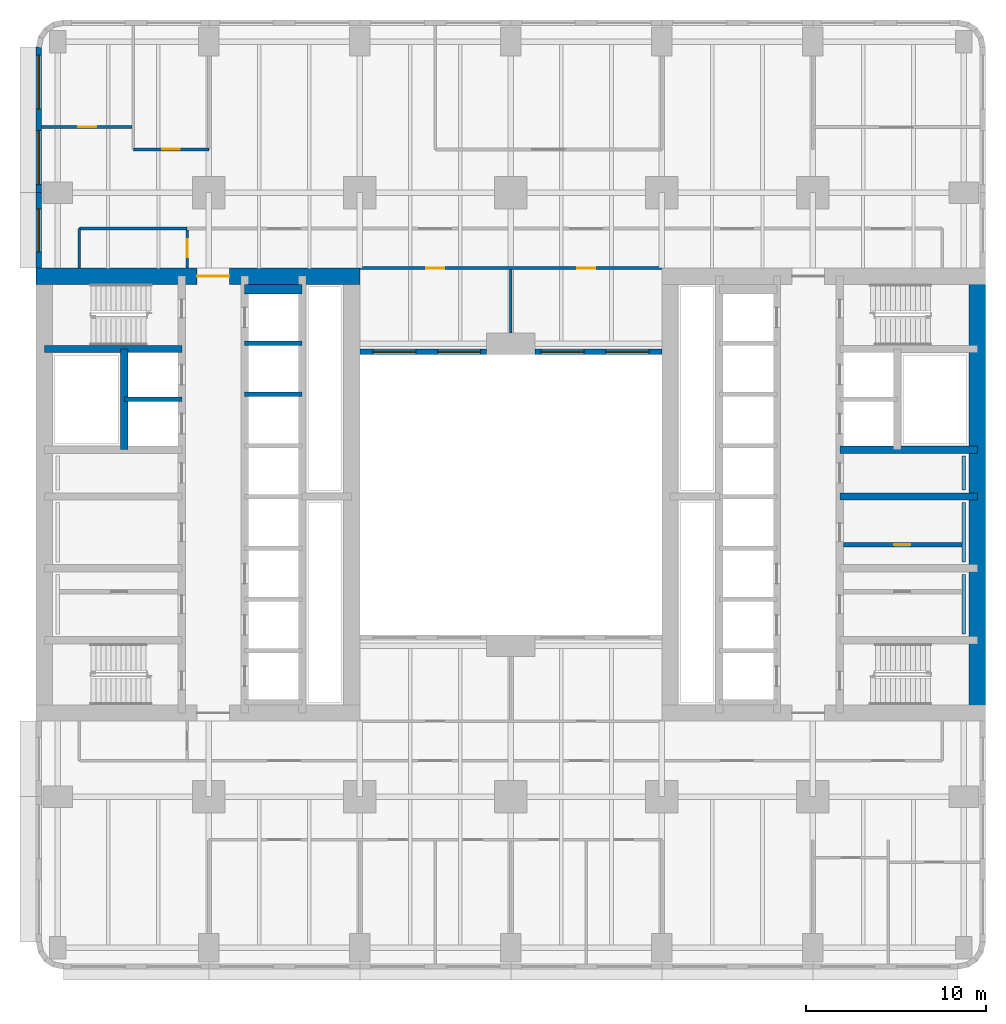
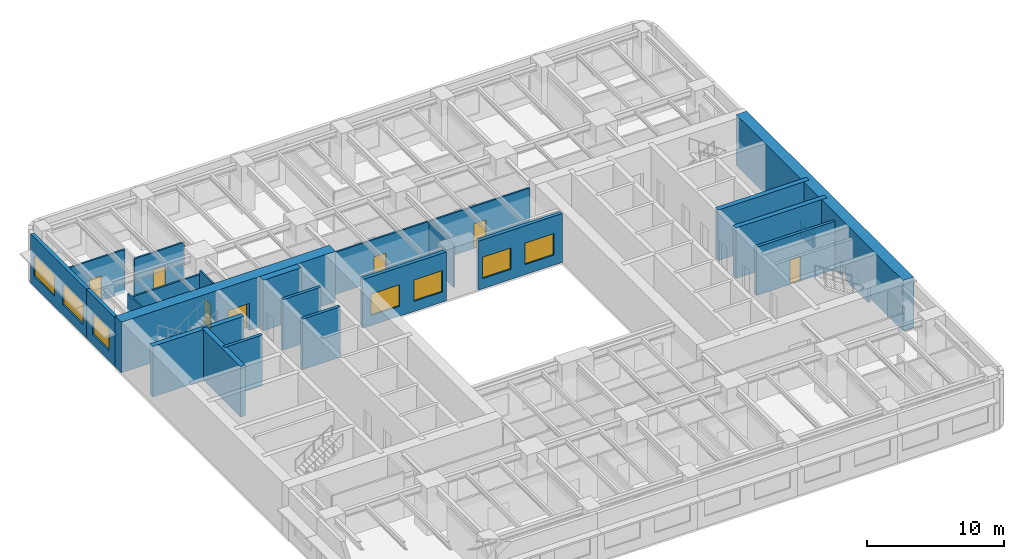
# One storey, part 6 of 14: 25 walls, 7 doors, 7 windows, 14 openings.
"""IFC4 building model written with IfcOpenShell, lengths in metres."""

from ifc_helpers import new_model, si_unit, direction, frame, frame_2d, origin, place, context, subcontext, project, spatial, rectangle, extrude, material, layer, layer_set, type_object, element, fill, save


model = new_model("IFC4")

# Units and contexts
model_context = context("Model", 3, precision=1e-05, world=origin(), true_north=direction((0.0, 1.0)))
body_context = subcontext(model_context, "Body", "Model", "MODEL_VIEW")
ifc_project = project(units=[si_unit("LENGTHUNIT", "METRE"), si_unit("AREAUNIT", "SQUARE_METRE"), si_unit("VOLUMEUNIT", "CUBIC_METRE"), si_unit("PLANEANGLEUNIT", "RADIAN"), si_unit("MASSUNIT", "GRAM", prefix="KILO")], contexts=[model_context])

# Site, building, storey
site_placement = place(None, origin())
site = spatial("IfcSite", under=ifc_project, at=site_placement, CompositionType="ELEMENT")
building_placement = place(site_placement, origin())
building = spatial("IfcBuilding", under=site, at=building_placement, Name="Claustro Exchange Tower", CompositionType="ELEMENT")
storey_placement = place(building_placement, frame((0.0, 0.0, 54.89990234375)))
storey = spatial("IfcBuildingStorey", under=building, at=storey_placement, Name="L12", CompositionType="ELEMENT", Elevation=54.89990234375)

# Wall, opening, door
ifc_material_1 = material(Name="Gypsum board on steel studs", Category="steel")
ifc_layer_1 = layer(ifc_material_1, 0.14990234375)
ifc_layer_set_1 = layer_set([ifc_layer_1], Name="Gypsum board on steel studs")
wall_type_1 = type_object("IfcWallType", Name="P1 150 plasterboard partition", PredefinedType="PARTITIONING", material=ifc_layer_set_1)
wall_1_placement = place(storey_placement, frame((-0.902099609375, 45.64990234375, 0.0), z_axis=(0.0, 0.0, 1.0), x_axis=(1.0, 0.0, 0.0)))
wall_1 = element("IfcWall", 1, at=wall_1_placement, inside=storey, type_object=wall_type_1, Name="Partition P1 L12", PredefinedType="PARTITIONING", context=body_context, shape_type="SweptSolid", body=[
    extrude(rectangle(XDim=5.028076171875, YDim=0.14990234375, at=frame_2d((2.51416015625, 0.0))), origin(), (0.0, 0.0, 1.0), 3.840087890625),
])
opening_1_placement = place(wall_1_placement, frame((2.052001953125, 0.0, 0.0)))
opening_1 = element("IfcOpeningElement", 2, at=opening_1_placement, cuts=wall_1, Name="Opening D1", PredefinedType="OPENING", context=body_context, shape_type="SweptSolid", body=[
    extrude(rectangle(XDim=1.0, YDim=2.199951171875, at=frame_2d((0.5, 1.10009765625))), frame((0.0, 0.0849609375, 0.0), z_axis=(0.0, -1.0, 0.0), x_axis=(1.0, 0.0, 0.0)), (0.0, 0.0, 1.0), 0.169921875),
])
ifc_material_2 = material(Name="Timber door, oak veneer", Category="wood")
door_type_1 = type_object("IfcDoorType", Name="D1 1000 x 2200 single door", OperationType="SINGLE_SWING_LEFT", PredefinedType="DOOR", material=ifc_material_2)
door_1_placement = place(opening_1_placement, origin())
door_1 = element("IfcDoor", 3, at=door_1_placement, inside=storey, type_object=door_type_1, Name="Door D1 L12", OperationType="SINGLE_SWING_RIGHT", OverallHeight=2.199951171875, OverallWidth=1.0, PredefinedType="DOOR", context=body_context, shape_type="SweptSolid", body=[
    extrude(rectangle(XDim=1.0, YDim=2.199951171875, at=frame_2d((0.5, 1.10009765625))), frame((0.0, 0.02490234375, 0.0), z_axis=(0.0, -1.0, 0.0), x_axis=(1.0, 0.0, 0.0)), (0.0, 0.0, 1.0), 0.050048828125),
])
fill(opening_1, door_1)

wall_2_placement = place(storey_placement, frame((4.199951171875, 44.39990234375, 0.0), z_axis=(0.0, 0.0, 1.0), x_axis=(1.0, 0.0, 0.0)))
wall_2 = element("IfcWall", 4, at=wall_2_placement, inside=storey, type_object=wall_type_1, Name="Partition P1 L12", PredefinedType="PARTITIONING", context=body_context, shape_type="SweptSolid", body=[
    extrude(rectangle(XDim=4.199951171875, YDim=0.14990234375, at=frame_2d((2.10009765625, 0.0))), origin(), (0.0, 0.0, 1.0), 3.739990234375),
])
opening_2_placement = place(wall_2_placement, frame((1.60009765625, 0.0, 0.0)))
opening_2 = element("IfcOpeningElement", 5, at=opening_2_placement, cuts=wall_2, Name="Opening D1", PredefinedType="OPENING", context=body_context, shape_type="SweptSolid", body=[
    extrude(rectangle(XDim=1.0, YDim=2.199951171875, at=frame_2d((0.5, 1.10009765625))), frame((0.0, 0.0849609375, 0.0), z_axis=(0.0, -1.0, 0.0), x_axis=(1.0, 0.0, 0.0)), (0.0, 0.0, 1.0), 0.169921875),
])
door_2_placement = place(opening_2_placement, origin())
door_2 = element("IfcDoor", 6, at=door_2_placement, inside=storey, type_object=door_type_1, Name="Door D1 L12", OperationType="SINGLE_SWING_LEFT", OverallHeight=2.199951171875, OverallWidth=1.0, PredefinedType="DOOR", context=body_context, shape_type="SweptSolid", body=[
    extrude(rectangle(XDim=1.0, YDim=2.199951171875, at=frame_2d((0.5, 1.10009765625))), frame((0.0, 0.02490234375, 0.0), z_axis=(0.0, -1.0, 0.0), x_axis=(1.0, 0.0, 0.0)), (0.0, 0.0, 1.0), 0.050048828125),
])
fill(opening_2, door_2)

wall_3_placement = place(storey_placement, frame((7.199951171875, 37.800048828125, 0.0), z_axis=(0.0, 0.0, 1.0), x_axis=(0.0, 1.0, 0.0)))
wall_3 = element("IfcWall", 7, at=wall_3_placement, inside=storey, type_object=wall_type_1, Name="Partition P1 L12", PredefinedType="PARTITIONING", context=body_context, shape_type="SweptSolid", body=[
    extrude(rectangle(XDim=2.1259765625, YDim=0.14990234375, at=frame_2d((1.06298828125, 0.0))), origin(), (0.0, 0.0, 1.0), 4.340087890625),
])
opening_3_placement = place(wall_3_placement, frame((0.60009765625, 0.0, 0.0)))
opening_3 = element("IfcOpeningElement", 8, at=opening_3_placement, cuts=wall_3, Name="Opening D1", PredefinedType="OPENING", context=body_context, shape_type="SweptSolid", body=[
    extrude(rectangle(XDim=1.0, YDim=2.199951171875, at=frame_2d((0.5, 1.10009765625))), frame((0.0, 0.0849609375, 0.0), z_axis=(0.0, -1.0, 0.0), x_axis=(1.0, 0.0, 0.0)), (0.0, 0.0, 1.0), 0.169921875),
])
door_3_placement = place(opening_3_placement, origin())
door_3 = element("IfcDoor", 9, at=door_3_placement, inside=storey, type_object=door_type_1, Name="Door D1 L12", OperationType="SINGLE_SWING_LEFT", OverallHeight=2.199951171875, OverallWidth=1.0, PredefinedType="DOOR", context=body_context, shape_type="SweptSolid", body=[
    extrude(rectangle(XDim=1.0, YDim=2.199951171875, at=frame_2d((0.5, 1.10009765625))), frame((0.0, 0.02490234375, 0.0), z_axis=(0.0, -1.0, 0.0), x_axis=(1.0, 0.0, 0.0)), (0.0, 0.0, 1.0), 0.050048828125),
])
fill(opening_3, door_3)

# Walls
wall_4_placement = place(storey_placement, frame((1.199951171875, 40.0, 0.0), z_axis=(0.0, 0.0, 1.0), x_axis=(1.0, 0.0, 0.0)))
element("IfcWall", 10, at=wall_4_placement, inside=storey, type_object=wall_type_1, Name="Partition P1 L12", PredefinedType="PARTITIONING", context=body_context, shape_type="SweptSolid", body=[
    extrude(rectangle(XDim=6.001953125, YDim=0.14990234375, at=frame_2d((3.0009765625, 0.0))), origin(), (0.0, 0.0, 1.0), 3.97998046875),
])
wall_5_placement = place(storey_placement, frame((1.199951171875, 37.800048828125, 0.0), z_axis=(0.0, 0.0, 1.0), x_axis=(0.0, 1.0, 0.0)))
element("IfcWall", 11, at=wall_5_placement, inside=storey, type_object=wall_type_1, Name="Partition P1 L12", PredefinedType="PARTITIONING", context=body_context, shape_type="SweptSolid", body=[
    extrude(rectangle(XDim=2.199951171875, YDim=0.14990234375, at=frame_2d((1.10009765625, 0.0))), origin(), (0.0, 0.0, 1.0), 4.340087890625),
])
wall_6_placement = place(storey_placement, frame((25.199951171875, 34.198974609375, 0.0), z_axis=(0.0, 0.0, 1.0), x_axis=(0.0, 1.0, 0.0)))
element("IfcWall", 12, at=wall_6_placement, inside=storey, type_object=wall_type_1, Name="Partition P1 L12", PredefinedType="PARTITIONING", context=body_context, shape_type="SweptSolid", body=[
    extrude(rectangle(XDim=3.527099609375, YDim=0.14990234375, at=frame_2d((1.763671875, 0.0))), origin(), (0.0, 0.0, 1.0), 3.739990234375),
])

# Wall, openings, doors
wall_7_placement = place(storey_placement, frame((16.798095703125, 37.800048828125, 0.0), z_axis=(0.0, 0.0, 1.0), x_axis=(1.0, 0.0, 0.0)))
wall_7 = element("IfcWall", 13, at=wall_7_placement, inside=storey, type_object=wall_type_1, Name="Partition P1 L12", PredefinedType="PARTITIONING", context=body_context, shape_type="SweptSolid", body=[
    extrude(rectangle(XDim=16.803955078125, YDim=0.14990234375, at=frame_2d((8.40185546875, 0.0))), origin(), (0.0, 0.0, 1.0), 3.739990234375),
])
opening_4_placement = place(wall_7_placement, frame((3.701904296875, 0.0, 0.0)))
opening_4 = element("IfcOpeningElement", 14, at=opening_4_placement, cuts=wall_7, Name="Opening D1", PredefinedType="OPENING", context=body_context, shape_type="SweptSolid", body=[
    extrude(rectangle(XDim=1.0, YDim=2.199951171875, at=frame_2d((0.5, 1.10009765625))), frame((0.0, 0.0849609375, 0.0), z_axis=(0.0, -1.0, 0.0), x_axis=(1.0, 0.0, 0.0)), (0.0, 0.0, 1.0), 0.169921875),
])
opening_5_placement = place(wall_7_placement, frame((12.10205078125, 0.0, 0.0)))
opening_5 = element("IfcOpeningElement", 15, at=opening_5_placement, cuts=wall_7, Name="Opening D1", PredefinedType="OPENING", context=body_context, shape_type="SweptSolid", body=[
    extrude(rectangle(XDim=1.0, YDim=2.199951171875, at=frame_2d((0.5, 1.10009765625))), frame((0.0, 0.0849609375, 0.0), z_axis=(0.0, -1.0, 0.0), x_axis=(1.0, 0.0, 0.0)), (0.0, 0.0, 1.0), 0.169921875),
])
door_4_placement = place(opening_4_placement, frame((1.0, 0.0, 0.0), z_axis=(0.0, 0.0, 1.0), x_axis=(-1.0, 0.0, 0.0)))
door_4 = element("IfcDoor", 16, at=door_4_placement, inside=storey, type_object=door_type_1, Name="Door D1 L12", OperationType="SINGLE_SWING_RIGHT", OverallHeight=2.199951171875, OverallWidth=1.0, PredefinedType="DOOR", context=body_context, shape_type="SweptSolid", body=[
    extrude(rectangle(XDim=1.0, YDim=2.199951171875, at=frame_2d((0.5, 1.10009765625))), frame((0.0, 0.02490234375, 0.0), z_axis=(0.0, -1.0, 0.0), x_axis=(1.0, 0.0, 0.0)), (0.0, 0.0, 1.0), 0.050048828125),
])
fill(opening_4, door_4)
door_5_placement = place(opening_5_placement, frame((1.0, 0.0, 0.0), z_axis=(0.0, 0.0, 1.0), x_axis=(-1.0, 0.0, 0.0)))
door_5 = element("IfcDoor", 17, at=door_5_placement, inside=storey, type_object=door_type_1, Name="Door D1 L12", OperationType="SINGLE_SWING_RIGHT", OverallHeight=2.199951171875, OverallWidth=1.0, PredefinedType="DOOR", context=body_context, shape_type="SweptSolid", body=[
    extrude(rectangle(XDim=1.0, YDim=2.199951171875, at=frame_2d((0.5, 1.10009765625))), frame((0.0, 0.02490234375, 0.0), z_axis=(0.0, -1.0, 0.0), x_axis=(1.0, 0.0, 0.0)), (0.0, 0.0, 1.0), 0.050048828125),
])
fill(opening_5, door_5)

# Wall, opening, door
ifc_material_3 = material(Name="Concrete blockwork, rendered", Category="masonry")
ifc_layer_2 = layer(ifc_material_3, 0.25)
ifc_layer_set_2 = layer_set([ifc_layer_2], Name="Concrete blockwork, rendered")
wall_type_2 = type_object("IfcWallType", Name="P4 250 blockwork wall", PredefinedType="PARTITIONING", material=ifc_layer_set_2)
wall_8_placement = place(storey_placement, frame((43.699951171875, 22.39990234375, 0.0), z_axis=(0.0, 0.0, 1.0), x_axis=(1.0, 0.0, 0.0)))
wall_8 = element("IfcWall", 18, at=wall_8_placement, inside=storey, type_object=wall_type_2, Name="Partition P4 L12", PredefinedType="PARTITIONING", context=body_context, shape_type="SweptSolid", body=[
    extrude(rectangle(XDim=6.60009765625, YDim=0.25, at=frame_2d((3.300048828125, 0.0))), origin(), (0.0, 0.0, 1.0), 4.300048828125),
])
opening_6_placement = place(wall_8_placement, frame((2.824951171875, 0.0, 0.0)))
opening_6 = element("IfcOpeningElement", 19, at=opening_6_placement, cuts=wall_8, Name="Opening D5", PredefinedType="OPENING", context=body_context, shape_type="SweptSolid", body=[
    extrude(rectangle(XDim=0.89990234375, YDim=2.199951171875, at=frame_2d((0.449951171875, 1.10009765625))), frame((0.0, 0.135009765625, 0.0), z_axis=(0.0, -1.0, 0.0), x_axis=(1.0, 0.0, 0.0)), (0.0, 0.0, 1.0), 0.27001953125),
])
ifc_material_4 = material(Name="Steel door, painted", Category="steel")
door_type_2 = type_object("IfcDoorType", Name="D5 900 x 2200 store door", OperationType="SINGLE_SWING_LEFT", PredefinedType="DOOR", material=ifc_material_4)
door_6_placement = place(opening_6_placement, frame((0.89990234375, 0.0, 0.0), z_axis=(0.0, 0.0, 1.0), x_axis=(-1.0, 0.0, 0.0)))
door_6 = element("IfcDoor", 20, at=door_6_placement, inside=storey, type_object=door_type_2, Name="Store door D5 L12", OperationType="SINGLE_SWING_LEFT", OverallHeight=2.199951171875, OverallWidth=0.89990234375, PredefinedType="DOOR", context=body_context, shape_type="SweptSolid", body=[
    extrude(rectangle(XDim=0.89990234375, YDim=2.199951171875, at=frame_2d((0.449951171875, 1.10009765625))), frame((0.0, 0.02490234375, 0.0), z_axis=(0.0, -1.0, 0.0), x_axis=(1.0, 0.0, 0.0)), (0.0, 0.0, 1.0), 0.050048828125),
])
fill(opening_6, door_6)

# Wall, opening, window
ifc_material_5 = material(Name="Concrete HA-40 (C40/50), precast, white cement, acid-etched", Category="concrete")
ifc_layer_3 = layer(ifc_material_5, 0.300048828125)
ifc_layer_set_3 = layer_set([ifc_layer_3], Name="Concrete HA-40 (C40/50), precast, white cement, acid-etched")
wall_type_3 = type_object("IfcWallType", Name="PC1 300 precast concrete pier panel", PredefinedType="SOLIDWALL", material=ifc_layer_set_3)
wall_9_placement = place(storey_placement, frame((-1.050048828125, 37.800048828125, 0.0), z_axis=(0.0, 0.0, 1.0), x_axis=(0.0, 1.0, 0.0)))
wall_9 = element("IfcWall", 21, at=wall_9_placement, inside=storey, type_object=wall_type_3, Name="Precast pier panel PC1 L12", PredefinedType="SOLIDWALL", context=body_context, shape_type="SweptSolid", body=[
    extrude(rectangle(XDim=4.199951171875, YDim=0.300048828125, at=frame_2d((2.10009765625, 0.0))), origin(), (0.0, 0.0, 1.0), 4.340087890625),
])
opening_7_placement = place(wall_9_placement, frame((0.89990234375, 0.0, 0.89990234375)))
opening_7 = element("IfcOpeningElement", 22, at=opening_7_placement, cuts=wall_9, Name="Opening W2", PredefinedType="OPENING", context=body_context, shape_type="SweptSolid", body=[
    extrude(rectangle(XDim=2.39990234375, YDim=1.89990234375, at=frame_2d((1.199951171875, 0.949951171875))), frame((0.0, 0.159912109375, 0.0), z_axis=(0.0, -1.0, 0.0), x_axis=(1.0, 0.0, 0.0)), (0.0, 0.0, 1.0), 0.320068359375),
])
ifc_material_6 = material(Name="Aluminium frame, clear double glazing", Category="aluminium")
window_type_1 = type_object("IfcWindowType", Name="W2 2400 x 1900 window", PartitioningType="SINGLE_PANEL", PredefinedType="WINDOW", material=ifc_material_6)
window_1_placement = place(opening_7_placement, origin())
window_1 = element("IfcWindow", 23, at=window_1_placement, inside=storey, type_object=window_type_1, Name="Window W2 L12", OverallHeight=1.89990234375, OverallWidth=2.39990234375, PartitioningType="SINGLE_PANEL", PredefinedType="WINDOW", context=body_context, shape_type="SweptSolid", body=[
    extrude(rectangle(XDim=2.39990234375, YDim=1.89990234375, at=frame_2d((1.199951171875, 0.949951171875))), frame((0.0, 0.030029296875, 0.0), z_axis=(0.0, -1.0, 0.0), x_axis=(1.0, 0.0, 0.0)), (0.0, 0.0, 1.0), 0.06005859375),
])
fill(opening_7, window_1)

# Wall, openings, windows
wall_10_placement = place(storey_placement, frame((-1.050048828125, 42.0, 0.0), z_axis=(0.0, 0.0, 1.0), x_axis=(0.0, 1.0, 0.0)))
wall_10 = element("IfcWall", 24, at=wall_10_placement, inside=storey, type_object=wall_type_3, Name="Precast pier panel PC1 L12", PredefinedType="SOLIDWALL", context=body_context, shape_type="SweptSolid", body=[
    extrude(rectangle(XDim=8.085205078125, YDim=0.300048828125, at=frame_2d((4.04248046875, 0.0))), origin(), (0.0, 0.0, 1.0), 4.340087890625),
])
opening_8_placement = place(wall_10_placement, frame((0.442626953125, 0.0, 0.89990234375)))
opening_8 = element("IfcOpeningElement", 25, at=opening_8_placement, cuts=wall_10, Name="Opening W1", PredefinedType="OPENING", context=body_context, shape_type="SweptSolid", body=[
    extrude(rectangle(XDim=3.0, YDim=1.89990234375, at=frame_2d((1.5, 0.949951171875))), frame((0.0, 0.159912109375, 0.0), z_axis=(0.0, -1.0, 0.0), x_axis=(1.0, 0.0, 0.0)), (0.0, 0.0, 1.0), 0.320068359375),
])
opening_9_placement = place(wall_10_placement, frame((4.642578125, 0.0, 0.89990234375)))
opening_9 = element("IfcOpeningElement", 26, at=opening_9_placement, cuts=wall_10, Name="Opening W1", PredefinedType="OPENING", context=body_context, shape_type="SweptSolid", body=[
    extrude(rectangle(XDim=3.0, YDim=1.89990234375, at=frame_2d((1.5, 0.949951171875))), frame((0.0, 0.159912109375, 0.0), z_axis=(0.0, -1.0, 0.0), x_axis=(1.0, 0.0, 0.0)), (0.0, 0.0, 1.0), 0.320068359375),
])
ifc_material_7 = material(Name="Aluminium frame, clear double glazing", Category="aluminium")
window_type_2 = type_object("IfcWindowType", Name="W1 3000 x 1900 window", PartitioningType="SINGLE_PANEL", PredefinedType="WINDOW", material=ifc_material_7)
window_2_placement = place(opening_8_placement, origin())
window_2 = element("IfcWindow", 27, at=window_2_placement, inside=storey, type_object=window_type_2, Name="Window W1 L12", OverallHeight=1.89990234375, OverallWidth=3.0, PartitioningType="SINGLE_PANEL", PredefinedType="WINDOW", context=body_context, shape_type="SweptSolid", body=[
    extrude(rectangle(XDim=3.0, YDim=1.89990234375, at=frame_2d((1.5, 0.949951171875))), frame((0.0, 0.030029296875, 0.0), z_axis=(0.0, -1.0, 0.0), x_axis=(1.0, 0.0, 0.0)), (0.0, 0.0, 1.0), 0.06005859375),
])
fill(opening_8, window_2)
window_3_placement = place(opening_9_placement, origin())
window_3 = element("IfcWindow", 28, at=window_3_placement, inside=storey, type_object=window_type_2, Name="Window W1 L12", OverallHeight=1.89990234375, OverallWidth=3.0, PartitioningType="SINGLE_PANEL", PredefinedType="WINDOW", context=body_context, shape_type="SweptSolid", body=[
    extrude(rectangle(XDim=3.0, YDim=1.89990234375, at=frame_2d((1.5, 0.949951171875))), frame((0.0, 0.030029296875, 0.0), z_axis=(0.0, -1.0, 0.0), x_axis=(1.0, 0.0, 0.0)), (0.0, 0.0, 1.0), 0.06005859375),
])
fill(opening_9, window_3)

wall_11_placement = place(storey_placement, frame((16.800048828125, 33.14990234375, 0.0), z_axis=(0.0, 0.0, 1.0), x_axis=(1.0, 0.0, 0.0)))
wall_11 = element("IfcWall", 29, at=wall_11_placement, inside=storey, type_object=wall_type_3, Name="Precast pier panel PC1 L12", PredefinedType="SOLIDWALL", context=body_context, shape_type="SweptSolid", body=[
    extrude(rectangle(XDim=7.050048828125, YDim=0.300048828125, at=frame_2d((3.52490234375, 0.0))), origin(), (0.0, 0.0, 1.0), 4.340087890625),
])
opening_10_placement = place(wall_11_placement, frame((0.72509765625, 0.0, 0.89990234375)))
opening_10 = element("IfcOpeningElement", 30, at=opening_10_placement, cuts=wall_11, Name="Opening W2", PredefinedType="OPENING", context=body_context, shape_type="SweptSolid", body=[
    extrude(rectangle(XDim=2.39990234375, YDim=1.89990234375, at=frame_2d((1.199951171875, 0.949951171875))), frame((0.0, 0.159912109375, 0.0), z_axis=(0.0, -1.0, 0.0), x_axis=(1.0, 0.0, 0.0)), (0.0, 0.0, 1.0), 0.320068359375),
])
opening_11_placement = place(wall_11_placement, frame((4.324951171875, 0.0, 0.89990234375)))
opening_11 = element("IfcOpeningElement", 31, at=opening_11_placement, cuts=wall_11, Name="Opening W2", PredefinedType="OPENING", context=body_context, shape_type="SweptSolid", body=[
    extrude(rectangle(XDim=2.39990234375, YDim=1.89990234375, at=frame_2d((1.199951171875, 0.949951171875))), frame((0.0, 0.159912109375, 0.0), z_axis=(0.0, -1.0, 0.0), x_axis=(1.0, 0.0, 0.0)), (0.0, 0.0, 1.0), 0.320068359375),
])
window_4_placement = place(opening_10_placement, origin())
window_4 = element("IfcWindow", 32, at=window_4_placement, inside=storey, type_object=window_type_1, Name="Window W2 L12", OverallHeight=1.89990234375, OverallWidth=2.39990234375, PartitioningType="SINGLE_PANEL", PredefinedType="WINDOW", context=body_context, shape_type="SweptSolid", body=[
    extrude(rectangle(XDim=2.39990234375, YDim=1.89990234375, at=frame_2d((1.199951171875, 0.949951171875))), frame((0.0, 0.030029296875, 0.0), z_axis=(0.0, -1.0, 0.0), x_axis=(1.0, 0.0, 0.0)), (0.0, 0.0, 1.0), 0.06005859375),
])
fill(opening_10, window_4)
window_5_placement = place(opening_11_placement, origin())
window_5 = element("IfcWindow", 33, at=window_5_placement, inside=storey, type_object=window_type_1, Name="Window W2 L12", OverallHeight=1.89990234375, OverallWidth=2.39990234375, PartitioningType="SINGLE_PANEL", PredefinedType="WINDOW", context=body_context, shape_type="SweptSolid", body=[
    extrude(rectangle(XDim=2.39990234375, YDim=1.89990234375, at=frame_2d((1.199951171875, 0.949951171875))), frame((0.0, 0.030029296875, 0.0), z_axis=(0.0, -1.0, 0.0), x_axis=(1.0, 0.0, 0.0)), (0.0, 0.0, 1.0), 0.06005859375),
])
fill(opening_11, window_5)

wall_12_placement = place(storey_placement, frame((26.550048828125, 33.14990234375, 0.0), z_axis=(0.0, 0.0, 1.0), x_axis=(1.0, 0.0, 0.0)))
wall_12 = element("IfcWall", 34, at=wall_12_placement, inside=storey, type_object=wall_type_3, Name="Precast pier panel PC1 L12", PredefinedType="SOLIDWALL", context=body_context, shape_type="SweptSolid", body=[
    extrude(rectangle(XDim=7.050048828125, YDim=0.300048828125, at=frame_2d((3.52490234375, 0.0))), origin(), (0.0, 0.0, 1.0), 4.340087890625),
])
opening_12_placement = place(wall_12_placement, frame((0.324951171875, 0.0, 0.89990234375)))
opening_12 = element("IfcOpeningElement", 35, at=opening_12_placement, cuts=wall_12, Name="Opening W2", PredefinedType="OPENING", context=body_context, shape_type="SweptSolid", body=[
    extrude(rectangle(XDim=2.39990234375, YDim=1.89990234375, at=frame_2d((1.199951171875, 0.949951171875))), frame((0.0, 0.159912109375, 0.0), z_axis=(0.0, -1.0, 0.0), x_axis=(1.0, 0.0, 0.0)), (0.0, 0.0, 1.0), 0.320068359375),
])
opening_13_placement = place(wall_12_placement, frame((3.925048828125, 0.0, 0.89990234375)))
opening_13 = element("IfcOpeningElement", 36, at=opening_13_placement, cuts=wall_12, Name="Opening W2", PredefinedType="OPENING", context=body_context, shape_type="SweptSolid", body=[
    extrude(rectangle(XDim=2.39990234375, YDim=1.89990234375, at=frame_2d((1.199951171875, 0.949951171875))), frame((0.0, 0.159912109375, 0.0), z_axis=(0.0, -1.0, 0.0), x_axis=(1.0, 0.0, 0.0)), (0.0, 0.0, 1.0), 0.320068359375),
])
window_6_placement = place(opening_12_placement, origin())
window_6 = element("IfcWindow", 37, at=window_6_placement, inside=storey, type_object=window_type_1, Name="Window W2 L12", OverallHeight=1.89990234375, OverallWidth=2.39990234375, PartitioningType="SINGLE_PANEL", PredefinedType="WINDOW", context=body_context, shape_type="SweptSolid", body=[
    extrude(rectangle(XDim=2.39990234375, YDim=1.89990234375, at=frame_2d((1.199951171875, 0.949951171875))), frame((0.0, 0.030029296875, 0.0), z_axis=(0.0, -1.0, 0.0), x_axis=(1.0, 0.0, 0.0)), (0.0, 0.0, 1.0), 0.06005859375),
])
fill(opening_12, window_6)
window_7_placement = place(opening_13_placement, origin())
window_7 = element("IfcWindow", 38, at=window_7_placement, inside=storey, type_object=window_type_1, Name="Window W2 L12", OverallHeight=1.89990234375, OverallWidth=2.39990234375, PartitioningType="SINGLE_PANEL", PredefinedType="WINDOW", context=body_context, shape_type="SweptSolid", body=[
    extrude(rectangle(XDim=2.39990234375, YDim=1.89990234375, at=frame_2d((1.199951171875, 0.949951171875))), frame((0.0, 0.030029296875, 0.0), z_axis=(0.0, -1.0, 0.0), x_axis=(1.0, 0.0, 0.0)), (0.0, 0.0, 1.0), 0.06005859375),
])
fill(opening_13, window_7)

# Walls
ifc_material_8 = material(Name="Gypsum board on steel studs, tiled", Category="steel")
ifc_layer_4 = layer(ifc_material_8, 0.199951171875)
ifc_layer_set_4 = layer_set([ifc_layer_4], Name="Gypsum board on steel studs, tiled")
wall_type_4 = type_object("IfcWallType", Name="PW1 200 WC duct wall", PredefinedType="PLUMBINGWALL", material=ifc_layer_set_4)
for number, where, z_axis, x_axis, name in (
    (39, (50.39990234375, 17.449951171875, 0.0), (0.0, 0.0, 1.0), (0.0, 1.0, 0.0), "WC duct wall PW1 L12"),
    (40, (50.39990234375, 21.449951171875, 0.0), (0.0, 0.0, 1.0), (0.0, 1.0, 0.0), "WC duct wall PW1 L12"),
):
    element("IfcWall", number, at=place(storey_placement, frame(where, z_axis=z_axis, x_axis=x_axis)), inside=storey, type_object=wall_type_4, Name=name, PredefinedType="PLUMBINGWALL", context=body_context, shape_type="SweptSolid", body=[
        extrude(rectangle(XDim=3.300048828125, YDim=0.199951171875, at=frame_2d((1.64990234375, 0.0))), origin(), (0.0, 0.0, 1.0), 1.2001953125),
    ])
wall_13_placement = place(storey_placement, frame((50.39990234375, 25.449951171875, 0.0), z_axis=(0.0, 0.0, 1.0), x_axis=(0.0, 1.0, 0.0)))
element("IfcWall", 41, at=wall_13_placement, inside=storey, type_object=wall_type_4, Name="WC duct wall PW1 L12", PredefinedType="PLUMBINGWALL", context=body_context, shape_type="SweptSolid", body=[
    extrude(rectangle(XDim=1.900146484375, YDim=0.199951171875, at=frame_2d((0.9501953125, 0.0))), origin(), (0.0, 0.0, 1.0), 1.2001953125),
])

# Wall, opening, door
ifc_material_9 = material(Name="Concrete HA-70 (C70/85)", Category="concrete")
ifc_layer_5 = layer(ifc_material_9, 0.89990234375)
ifc_layer_set_5 = layer_set([ifc_layer_5], Name="Concrete HA-70 (C70/85)")
wall_type_5 = type_object("IfcWallType", Name="SW1 900 core shear wall", PredefinedType="SHEAR", material=ifc_layer_set_5)
wall_14_placement = place(storey_placement, frame((-1.199951171875, 37.35009765625, 0.0), z_axis=(0.0, 0.0, 1.0), x_axis=(1.0, 0.0, 0.0)))
wall_14 = element("IfcWall", 42, at=wall_14_placement, inside=storey, type_object=wall_type_5, Name="Core wall SW1 W core N face L12", PredefinedType="SHEAR", context=body_context, shape_type="SweptSolid", body=[
    extrude(rectangle(XDim=18.0, YDim=0.89990234375, at=frame_2d((9.0, 0.0))), origin(), (0.0, 0.0, 1.0), 4.5),
])
opening_14_placement = place(wall_14_placement, frame((8.949951171875, 0.0, 0.0)))
opening_14 = element("IfcOpeningElement", 43, at=opening_14_placement, cuts=wall_14, Name="Opening D3", PredefinedType="OPENING", context=body_context, shape_type="SweptSolid", body=[
    extrude(rectangle(XDim=1.800048828125, YDim=2.39990234375, at=frame_2d((0.89990234375, 1.199951171875))), frame((0.0, 0.4599609375, 0.0), z_axis=(0.0, -1.0, 0.0), x_axis=(1.0, 0.0, 0.0)), (0.0, 0.0, 1.0), 0.919921875),
])
ifc_material_10 = material(Name="Steel fire door, painted", Category="steel")
door_type_3 = type_object("IfcDoorType", Name="D3 1800 x 2400 fire-rated lobby double door", OperationType="DOUBLE_DOOR_SINGLE_SWING", PredefinedType="DOOR", material=ifc_material_10)
door_7_placement = place(opening_14_placement, frame((1.800048828125, 0.0, 0.0), z_axis=(0.0, 0.0, 1.0), x_axis=(-1.0, 0.0, 0.0)))
door_7 = element("IfcDoor", 44, at=door_7_placement, inside=storey, type_object=door_type_3, Name="Lift lobby door D3 L12", OperationType="DOUBLE_DOOR_SINGLE_SWING", OverallHeight=2.39990234375, OverallWidth=1.800048828125, PredefinedType="DOOR", context=body_context, shape_type="SweptSolid", body=[
    extrude(rectangle(XDim=1.800048828125, YDim=2.39990234375, at=frame_2d((0.89990234375, 1.199951171875))), frame((0.0, 0.02490234375, 0.0), z_axis=(0.0, -1.0, 0.0), x_axis=(1.0, 0.0, 0.0)), (0.0, 0.0, 1.0), 0.050048828125),
])
fill(opening_14, door_7)

# Walls
ifc_material_11 = material(Name="Concrete HA-70 (C70/85)", Category="concrete")
ifc_layer_6 = layer(ifc_material_11, 0.89990234375)
ifc_layer_set_6 = layer_set([ifc_layer_6], Name="Concrete HA-70 (C70/85)")
wall_type_6 = type_object("IfcWallType", Name="SW1X 900 exposed core shear wall, board-marked face", PredefinedType="SHEAR", material=ifc_layer_set_6)
wall_15_placement = place(storey_placement, frame((51.14990234375, 13.050048828125, 0.0), z_axis=(0.0, 0.0, 1.0), x_axis=(0.0, 1.0, 0.0)))
element("IfcWall", 45, at=wall_15_placement, inside=storey, type_object=wall_type_6, Name="Core wall SW1X E core E face L12", PredefinedType="SHEAR", context=body_context, shape_type="SweptSolid", body=[
    extrude(rectangle(XDim=24.300048828125, YDim=0.89990234375, at=frame_2d((12.14990234375, 0.0))), origin(), (0.0, 0.0, 1.0), 4.5),
])
ifc_material_12 = material(Name="Concrete HA-50 (C50/60)", Category="concrete")
ifc_layer_7 = layer(ifc_material_12, 0.39990234375)
ifc_layer_set_7 = layer_set([ifc_layer_7], Name="Concrete HA-50 (C50/60)")
wall_type_7 = type_object("IfcWallType", Name="SW4 400 internal core wall", PredefinedType="SHEAR", material=ifc_layer_set_7)
wall_16_placement = place(storey_placement, frame((-0.75, 33.300048828125, 0.0), z_axis=(0.0, 0.0, 1.0), x_axis=(1.0, 0.0, 0.0)))
element("IfcWall", 46, at=wall_16_placement, inside=storey, type_object=wall_type_7, Name="Internal core wall SW4 W core L12", PredefinedType="SHEAR", context=body_context, shape_type="SweptSolid", body=[
    extrude(rectangle(XDim=7.64990234375, YDim=0.39990234375, at=frame_2d((3.824951171875, 0.0))), origin(), (0.0, 0.0, 1.0), 4.5),
])
wall_17_placement = place(storey_placement, frame((3.699951171875, 27.699951171875, 0.0), z_axis=(0.0, 0.0, 1.0), x_axis=(0.0, 1.0, 0.0)))
element("IfcWall", 47, at=wall_17_placement, inside=storey, type_object=wall_type_7, Name="Internal core wall SW4 W core L12", PredefinedType="SHEAR", context=body_context, shape_type="SweptSolid", body=[
    extrude(rectangle(XDim=5.60009765625, YDim=0.39990234375, at=frame_2d((2.800048828125, 0.0))), origin(), (0.0, 0.0, 1.0), 4.5),
])
for number, where, z_axis, x_axis, name in (
    (48, (51.14990234375, 25.10009765625, 0.0), (0.0, 0.0, 1.0), (-1.0, 0.0, 0.0), "Internal core wall SW4 E core L12"),
    (49, (51.14990234375, 27.699951171875, 0.0), (0.0, 0.0, 1.0), (-1.0, 0.0, 0.0), "Internal core wall SW4 E core L12"),
):
    element("IfcWall", number, at=place(storey_placement, frame(where, z_axis=z_axis, x_axis=x_axis)), inside=storey, type_object=wall_type_7, Name=name, PredefinedType="SHEAR", context=body_context, shape_type="SweptSolid", body=[
        extrude(rectangle(XDim=7.64990234375, YDim=0.39990234375, at=frame_2d((3.824951171875, 0.0))), origin(), (0.0, 0.0, 1.0), 4.5),
    ])
ifc_material_13 = material(Name="Concrete HA-50 (C50/60)", Category="concrete")
ifc_layer_8 = layer(ifc_material_13, 0.25)
ifc_layer_set_8 = layer_set([ifc_layer_8], Name="Concrete HA-50 (C50/60)")
wall_type_8 = type_object("IfcWallType", Name="SW5 250 lift shaft divider wall", PredefinedType="SHEAR", material=ifc_layer_set_8)
wall_18_placement = place(storey_placement, frame((3.699951171875, 30.5, 0.0), z_axis=(0.0, 0.0, 1.0), x_axis=(1.0, 0.0, 0.0)))
element("IfcWall", 50, at=wall_18_placement, inside=storey, type_object=wall_type_8, Name="Lift shaft wall W core L12", PredefinedType="SHEAR", context=body_context, shape_type="SweptSolid", body=[
    extrude(rectangle(XDim=3.199951171875, YDim=0.25, at=frame_2d((1.60009765625, 0.0))), origin(), (0.0, 0.0, 1.0), 4.5),
])
for number, where, z_axis, x_axis, name in (
    (51, (10.39990234375, 30.77490234375, 0.0), (0.0, 0.0, 1.0), (1.0, 0.0, 0.0), "Lift shaft wall W core L12"),
    (52, (10.39990234375, 33.625, 0.0), (0.0, 0.0, 1.0), (1.0, 0.0, 0.0), "Lift shaft wall W core L12"),
):
    element("IfcWall", number, at=place(storey_placement, frame(where, z_axis=z_axis, x_axis=x_axis)), inside=storey, type_object=wall_type_8, Name=name, PredefinedType="SHEAR", context=body_context, shape_type="SweptSolid", body=[
        extrude(rectangle(XDim=3.2001953125, YDim=0.25, at=frame_2d((1.60009765625, 0.0))), origin(), (0.0, 0.0, 1.0), 4.5),
    ])
ifc_material_14 = material(Name="Concrete HA-50 (C50/60)", Category="concrete")
ifc_layer_9 = layer(ifc_material_14, 0.550048828125)
ifc_layer_set_9 = layer_set([ifc_layer_9], Name="Concrete HA-50 (C50/60)")
wall_type_9 = type_object("IfcWallType", Name="SW6 550 lift shaft end wall", PredefinedType="SHEAR", material=ifc_layer_set_9)
wall_19_placement = place(storey_placement, frame((10.39990234375, 36.625, 0.0), z_axis=(0.0, 0.0, 1.0), x_axis=(1.0, 0.0, 0.0)))
element("IfcWall", 53, at=wall_19_placement, inside=storey, type_object=wall_type_9, Name="Lift shaft wall W core L12", PredefinedType="SHEAR", context=body_context, shape_type="SweptSolid", body=[
    extrude(rectangle(XDim=3.2001953125, YDim=0.550048828125, at=frame_2d((1.60009765625, 0.0))), origin(), (0.0, 0.0, 1.0), 4.5),
])

save(model, "model.ifc")
